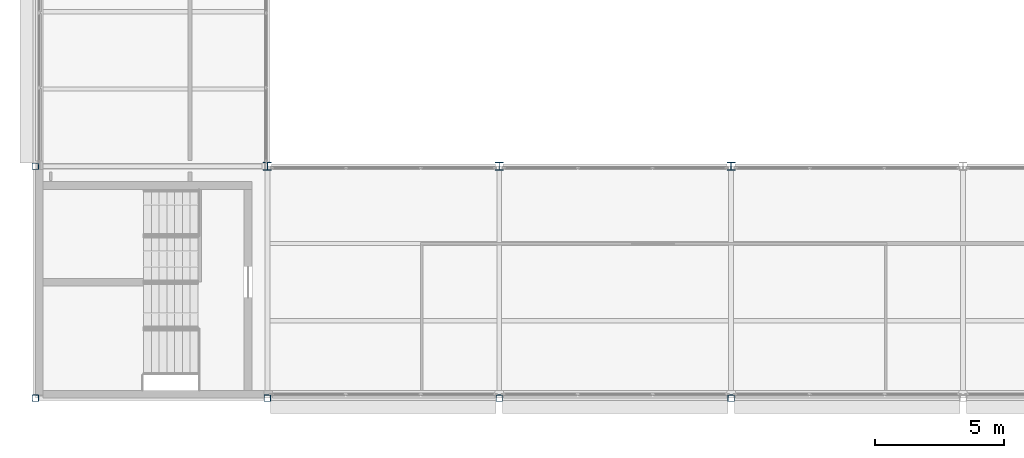
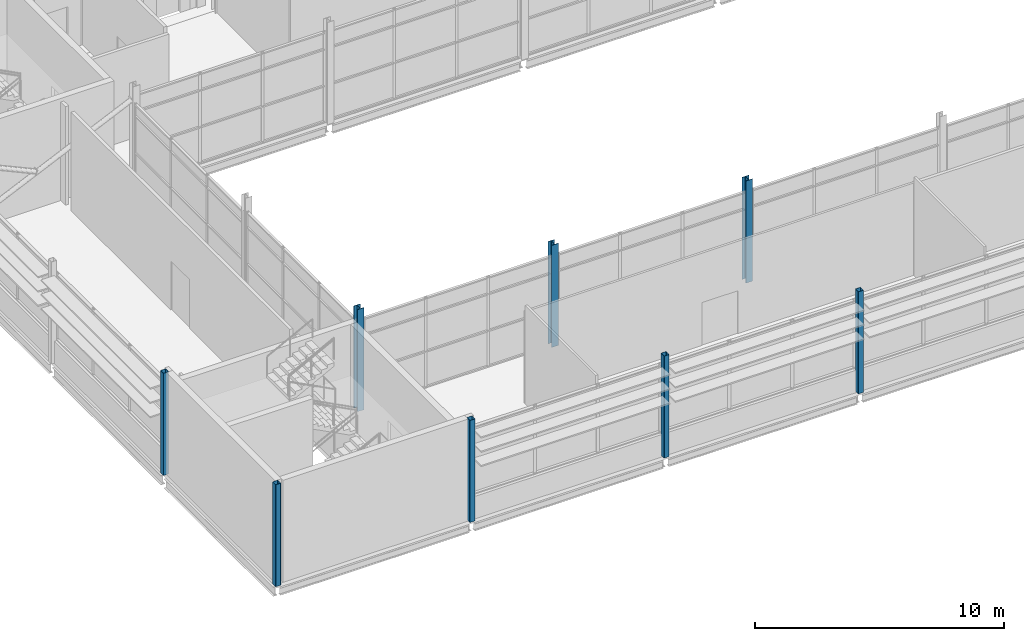
# One storey, part 1 of 61: 8 columns.
"""IFC4 building model written with IfcOpenShell, lengths in metres."""

from ifc_helpers import new_model, si_unit, direction, frame, origin, origin_2d, place, context, subcontext, project, spatial, hollow_rectangle, i_section, extrude, material, material_profile, profile_set, type_object, element, save


model = new_model("IFC4")

# Units and contexts
model_context = context("Model", 3, precision=1e-05, world=origin(), true_north=direction((0.0, 1.0)))
body_context = subcontext(model_context, "Body", "Model", "MODEL_VIEW")
ifc_project = project(units=[si_unit("LENGTHUNIT", "METRE"), si_unit("AREAUNIT", "SQUARE_METRE"), si_unit("VOLUMEUNIT", "CUBIC_METRE"), si_unit("PLANEANGLEUNIT", "RADIAN"), si_unit("MASSUNIT", "GRAM", prefix="KILO")], contexts=[model_context])

# Site, building, storey
site_placement = place(None, origin())
site = spatial("IfcSite", under=ifc_project, at=site_placement, CompositionType="ELEMENT")
building_placement = place(site_placement, origin())
building = spatial("IfcBuilding", under=site, at=building_placement, Name="Shorebreak Coast Museum", CompositionType="ELEMENT")
storey_placement = place(building_placement, frame((0.0, 0.0, 26.0)))
storey = spatial("IfcBuildingStorey", under=building, at=storey_placement, Name="L04", CompositionType="ELEMENT", Elevation=26.0)

# Columns
ifc_material_1 = material(Name="Steel Grade C450L0", Category="steel")
ifc_material_profile_1 = material_profile(ifc_material_1, hollow_rectangle(XDim=0.25, YDim=0.25, WallThickness=0.009033203125, InnerFilletRadius=0.013427734375, OuterFilletRadius=0.0224609375, at=origin_2d()), Name="250x250x9.0 SHS")
ifc_profile_set_1 = profile_set([ifc_material_profile_1], Name="Steel Grade C450L0")
column_type_1 = type_object("IfcColumnType", Name="Column 250x250x9.0 SHS", PredefinedType="COLUMN", material=ifc_profile_set_1)
for number, where, z_axis, x_axis, name in (
    (1, (54.0, 54.0, 0.0), (0.0, 0.0, 1.0), (1.0, 0.0, 0.0), "Column L04 7G"),
    (2, (63.0, 54.0, 0.0), (0.0, 0.0, 1.0), (1.0, 0.0, 0.0), "Column L04 8G"),
    (3, (72.0, 54.0, 0.0), (0.0, 0.0, 1.0), (1.0, 0.0, 0.0), "Column L04 9G"),
    (4, (81.0, 54.0, 0.0), (0.0, 0.0, 1.0), (1.0, 0.0, 0.0), "Column L04 10G"),
    (5, (54.0, 63.0, 0.0), (0.0, 0.0, 1.0), (1.0, 0.0, 0.0), "Column L04 7H"),
):
    element("IfcColumn", number, at=place(storey_placement, frame(where, z_axis=z_axis, x_axis=x_axis)), inside=storey, type_object=column_type_1, Name=name, PredefinedType="COLUMN", context=body_context, shape_type="SweptSolid", body=[
        extrude(hollow_rectangle(XDim=0.25, YDim=0.25, WallThickness=0.009033203125, InnerFilletRadius=0.013427734375, OuterFilletRadius=0.0224609375, at=origin_2d()), origin(), (0.0, 0.0, 1.0), 5.0),
    ])
ifc_material_2 = material(Name="Steel Grade 300", Category="steel")
ifc_material_profile_2 = material_profile(ifc_material_2, i_section(OverallWidth=0.306884765625, OverallDepth=0.314697265625, WebThickness=0.011962890625, FlangeThickness=0.018798828125, FilletRadius=0.0166015625, at=origin_2d()), Name="310UC118")
ifc_profile_set_2 = profile_set([ifc_material_profile_2], Name="Steel Grade 300")
column_type_2 = type_object("IfcColumnType", Name="Column 310UC118", PredefinedType="COLUMN", material=ifc_profile_set_2)
for number, where, z_axis, x_axis, name in (
    (6, (63.0, 63.0, 0.0), (0.0, 0.0, 1.0), (1.0, 0.0, 0.0), "Column L04 8H"),
    (7, (72.0, 63.0, 0.0), (0.0, 0.0, 1.0), (1.0, 0.0, 0.0), "Column L04 9H"),
    (8, (81.0, 63.0, 0.0), (0.0, 0.0, 1.0), (1.0, 0.0, 0.0), "Column L04 10H"),
):
    element("IfcColumn", number, at=place(storey_placement, frame(where, z_axis=z_axis, x_axis=x_axis)), inside=storey, type_object=column_type_2, Name=name, PredefinedType="COLUMN", context=body_context, shape_type="SweptSolid", body=[
        extrude(i_section(OverallWidth=0.306884765625, OverallDepth=0.314697265625, WebThickness=0.011962890625, FlangeThickness=0.018798828125, FilletRadius=0.0166015625, at=origin_2d()), origin(), (0.0, 0.0, 1.0), 5.0),
    ])

save(model, "model.ifc")
